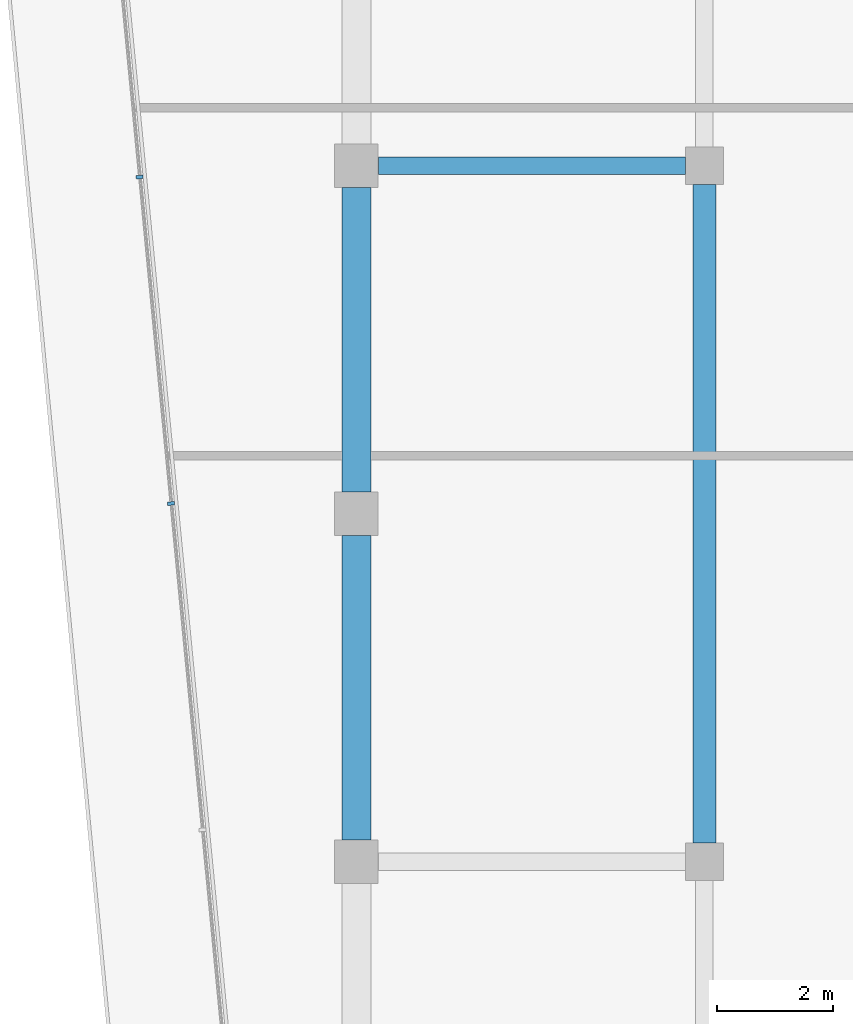
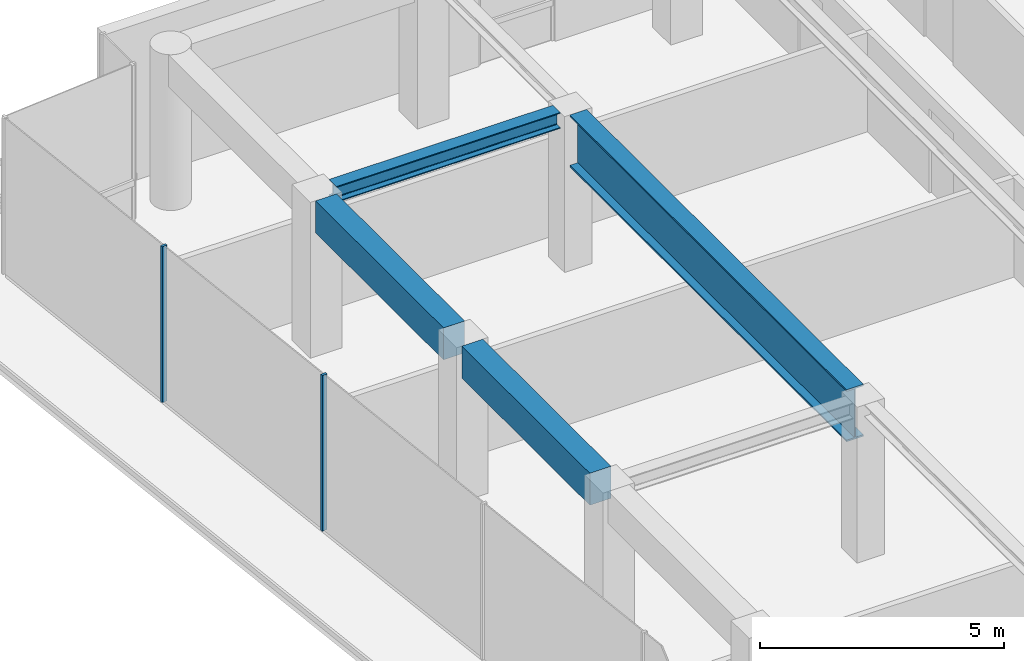
# One storey, part 11 of 22: 4 beams, 2 members, 1 element without a shape of its own.
"""IFC4 building model written with IfcOpenShell, lengths in metres."""

from ifc_helpers import new_model, si_unit, direction, frame, origin, origin_2d, place, context, subcontext, project, spatial, rectangle, i_section, extrude, material, layer, layer_set, material_profile, profile_set, type_object, element, aggregate, save


model = new_model("IFC4")

# Units and contexts
model_context = context("Model", 3, precision=1e-05, world=origin(), true_north=direction((0.0, 1.0)))
body_context = subcontext(model_context, "Body", "Model", "MODEL_VIEW")
ifc_project = project(units=[si_unit("LENGTHUNIT", "METRE"), si_unit("AREAUNIT", "SQUARE_METRE"), si_unit("VOLUMEUNIT", "CUBIC_METRE"), si_unit("PLANEANGLEUNIT", "RADIAN"), si_unit("MASSUNIT", "GRAM", prefix="KILO")], contexts=[model_context])

# Site, building, storey
site_placement = place(None, origin())
site = spatial("IfcSite", under=ifc_project, at=site_placement, CompositionType="ELEMENT")
building_placement = place(site_placement, origin())
building = spatial("IfcBuilding", under=site, at=building_placement, Name="Welwitschia Terrace Campus", CompositionType="ELEMENT")
storey_placement = place(building_placement, frame((0.0, 0.0, 310.39990234375)))
storey = spatial("IfcBuildingStorey", under=building, at=storey_placement, Name="L69", CompositionType="ELEMENT", Elevation=310.39990234375)

# Curtain wall, members
ifc_material_1 = material(Name="Bronze anodised aluminium", Category="aluminium")
ifc_layer = layer(ifc_material_1, 0.1201171875)
ifc_layer_set = layer_set([ifc_layer], Name="Bronze anodised aluminium")
curtain_wall_type = type_object("IfcCurtainWallType", Name="Curtain wall CW2 tower 6000", PredefinedType="NOTDEFINED", material=ifc_layer_set)
curtain_wall_placement = place(storey_placement, origin())
curtain_wall = element("IfcCurtainWall", 1, at=curtain_wall_placement, inside=storey, type_object=curtain_wall_type, Name="CW L69.11.0", PredefinedType="NOTDEFINED")
ifc_material_2 = material(Name="Bronze anodised aluminium", Category="aluminium")
ifc_material_profile_1 = material_profile(ifc_material_2, rectangle(XDim=0.1201171875, YDim=0.06005859375, at=origin_2d()))
ifc_profile_set_1 = profile_set([ifc_material_profile_1], Name="Bronze anodised aluminium")
member_type = type_object("IfcMemberType", Name="Mullion 60x120", PredefinedType="MULLION", material=ifc_profile_set_1)
member_1_placement = place(storey_placement, frame((-3.7392578125, 55.804931640625, 0.0), z_axis=(0.0, 0.0, 1.0), x_axis=(0.995396198367, 0.09584575252, 0.0)))
member_1 = element("IfcMember", 2, at=member_1_placement, type_object=member_type, Name="Mullion L69.11.0.1", PredefinedType="MULLION", context=body_context, shape_type="SweptSolid", body=[
    extrude(rectangle(XDim=0.1201171875, YDim=0.06005859375, at=origin_2d()), origin(), (0.0, 0.0, 1.0), 3.900146484375),
])
member_2_placement = place(storey_placement, frame((-3.197509765625, 50.177490234375, 0.0), z_axis=(0.0, 0.0, 1.0), x_axis=(0.995396198367, 0.09584575252, 0.0)))
member_2 = element("IfcMember", 3, at=member_2_placement, type_object=member_type, Name="Mullion L69.11.0.2", PredefinedType="MULLION", context=body_context, shape_type="SweptSolid", body=[
    extrude(rectangle(XDim=0.1201171875, YDim=0.06005859375, at=origin_2d()), origin(), (0.0, 0.0, 1.0), 3.900146484375),
])
aggregate(curtain_wall, [member_1, member_2])

# Beams
ifc_material_3 = material(Name="Steel S355", Category="steel")
ifc_material_profile_2 = material_profile(ifc_material_3, i_section(OverallWidth=0.300048828125, OverallDepth=0.39990234375, WebThickness=0.013427734375, FlangeThickness=0.02392578125, FilletRadius=0.027099609375, at=origin_2d()))
ifc_profile_set_2 = profile_set([ifc_material_profile_2], Name="Steel S355")
beam_type_1 = type_object("IfcBeamType", Name="Primary beam HE 400 B", PredefinedType="BEAM", material=ifc_profile_set_2)
beam_1_placement = place(storey_placement, frame((0.37548828125, 56.0, 3.7001953125), z_axis=(1.0, 0.0, 0.0), x_axis=(0.0, 1.0, 0.0)))
element("IfcBeam", 4, at=beam_1_placement, inside=storey, type_object=beam_type_1, Name="Primary beam PB6", PredefinedType="BEAM", context=body_context, shape_type="SweptSolid", body=[
    extrude(i_section(OverallWidth=0.300048828125, OverallDepth=0.39990234375, WebThickness=0.013427734375, FlangeThickness=0.02392578125, FilletRadius=0.027099609375, at=origin_2d()), origin(), (0.0, 0.0, 1.0), 5.299072265625),
])
ifc_material_4 = material(Name="Concrete C50/60", Category="concrete")
ifc_material_profile_3 = material_profile(ifc_material_4, rectangle(XDim=0.5, YDim=0.800048828125, at=origin_2d()))
ifc_profile_set_3 = profile_set([ifc_material_profile_3], Name="Concrete C50/60")
beam_type_2 = type_object("IfcBeamType", Name="Ring spandrel 500x800", PredefinedType="SPANDREL", material=ifc_profile_set_3)
for number, where, z_axis, x_axis, name in (
    (5, (0.0, 55.62451171875, 3.5), (0.0, -1.0, 0.0), (1.0, 0.0, 0.0), "Spandrel SP4"),
    (6, (0.0, 49.62451171875, 3.5), (0.0, -1.0, 0.0), (1.0, 0.0, 0.0), "Spandrel SP4"),
):
    element("IfcBeam", number, at=place(storey_placement, frame(where, z_axis=z_axis, x_axis=x_axis)), inside=storey, type_object=beam_type_2, Name=name, PredefinedType="SPANDREL", context=body_context, shape_type="SweptSolid", body=[
        extrude(rectangle(XDim=0.5, YDim=0.800048828125, at=origin_2d()), origin(), (0.0, 0.0, 1.0), 5.2490234375),
    ])
ifc_material_5 = material(Name="Steel S355", Category="steel")
ifc_material_profile_4 = material_profile(ifc_material_5, i_section(OverallWidth=0.39990234375, OverallDepth=1.300048828125, WebThickness=0.02490234375, FlangeThickness=0.0400390625, at=origin_2d()))
ifc_profile_set_4 = profile_set([ifc_material_profile_4], Name="Steel S355")
beam_type_3 = type_object("IfcBeamType", Name="Transfer girder WI 1300x400x25x40", PredefinedType="BEAM", material=ifc_profile_set_4)
beam_2_placement = place(storey_placement, frame((6.0, 44.325439453125, 3.25), z_axis=(0.0, 1.0, 0.0), x_axis=(-1.0, 0.0, 0.0)))
element("IfcBeam", 7, at=beam_2_placement, inside=storey, type_object=beam_type_3, Name="Transfer girder TG1", PredefinedType="BEAM", context=body_context, shape_type="SweptSolid", body=[
    extrude(i_section(OverallWidth=0.39990234375, OverallDepth=1.300048828125, WebThickness=0.02490234375, FlangeThickness=0.0400390625, at=origin_2d()), origin(), (0.0, 0.0, 1.0), 11.34912109375),
])

save(model, "model.ifc")
